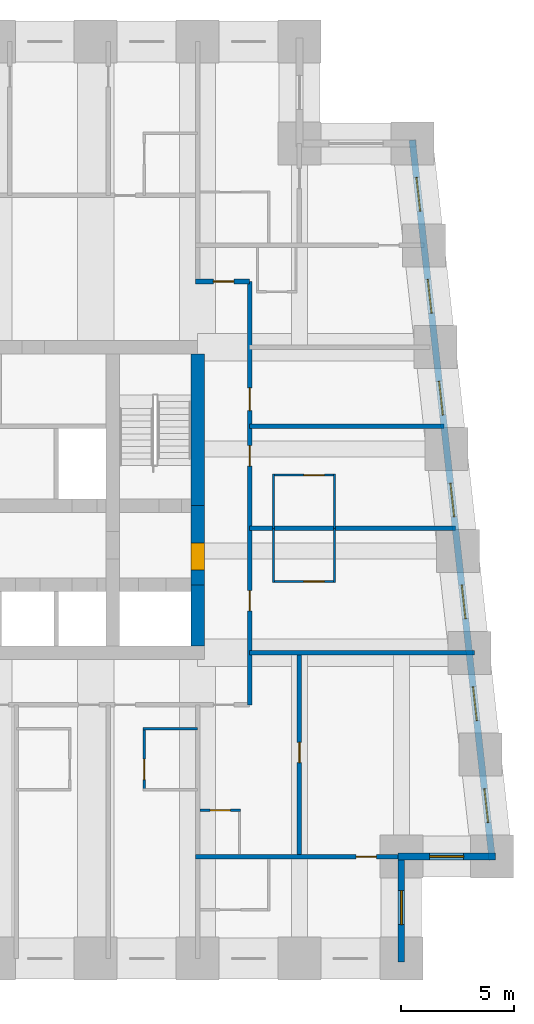
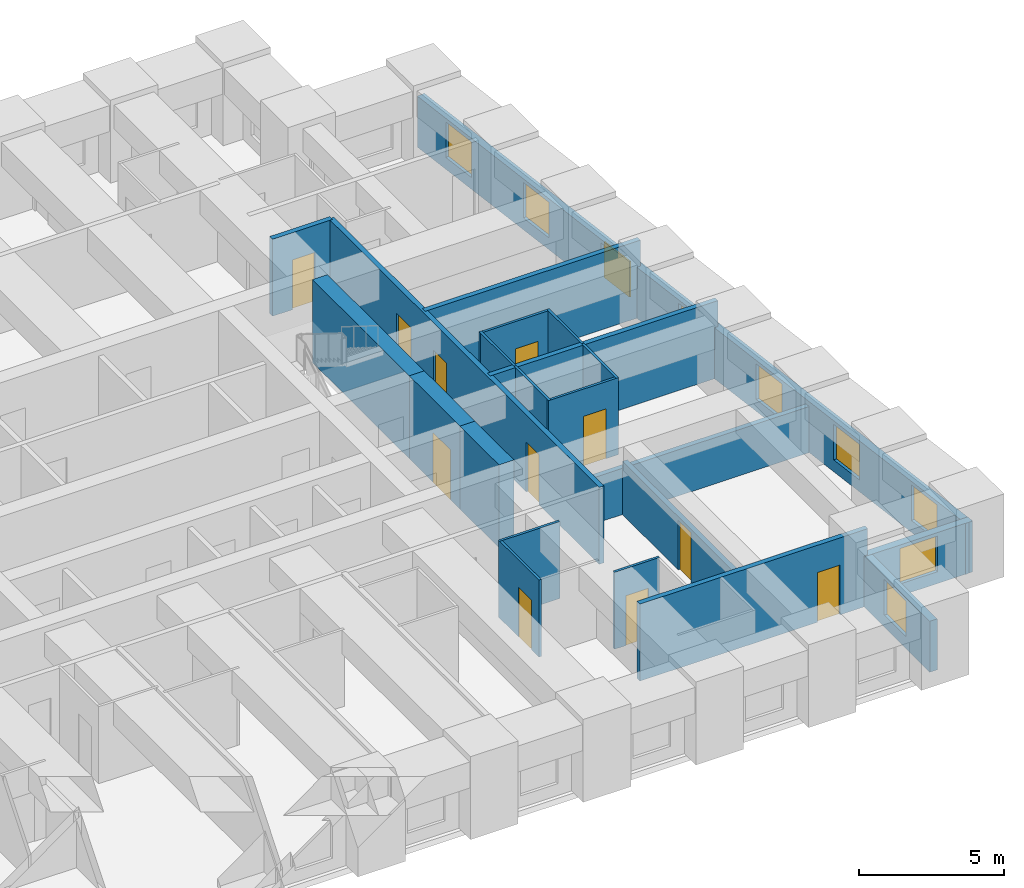
# One storey, part 5 of 8: 22 walls, 11 doors, 9 windows, 20 openings.
"""IFC4 building model written with IfcOpenShell, lengths in metres."""

from ifc_helpers import new_model, si_unit, direction, frame, frame_2d, origin, place, context, subcontext, project, spatial, rectangle, extrude, material, layer, layer_set, type_object, element, fill, save


model = new_model("IFC4")

# Units and contexts
model_context = context("Model", 3, precision=1e-05, world=origin(), true_north=direction((0.0, 1.0)))
body_context = subcontext(model_context, "Body", "Model", "MODEL_VIEW")
ifc_project = project(units=[si_unit("LENGTHUNIT", "METRE"), si_unit("AREAUNIT", "SQUARE_METRE"), si_unit("VOLUMEUNIT", "CUBIC_METRE"), si_unit("PLANEANGLEUNIT", "RADIAN"), si_unit("MASSUNIT", "GRAM", prefix="KILO")], contexts=[model_context])

# Site, building, storey
site_placement = place(None, origin())
site = spatial("IfcSite", under=ifc_project, at=site_placement, CompositionType="ELEMENT")
building_placement = place(site_placement, origin())
building = spatial("IfcBuilding", under=site, at=building_placement, Name="Kilele Tower Hotel", CompositionType="ELEMENT")
storey_placement = place(building_placement, frame((0.0, 0.0, 124.89990234375)))
storey = spatial("IfcBuildingStorey", under=building, at=storey_placement, Name="L32", CompositionType="ELEMENT", Elevation=124.89990234375)

# Wall
ifc_material_1 = material(Name="Moisture-resistant board")
ifc_layer_1 = layer(ifc_material_1, 0.10009765625)
ifc_layer_set_1 = layer_set([ifc_layer_1], Name="Moisture-resistant board")
wall_type_1 = type_object("IfcWallType", Name="Bathroom partition 100", PredefinedType="PLUMBINGWALL", material=ifc_layer_set_1)
wall_1_placement = place(storey_placement, frame((33.60009765625, 10.14990234375, 0.0), z_axis=(0.0, 0.0, 1.0), x_axis=(1.0, 0.0, 0.0)))
element("IfcWall", 1, at=wall_1_placement, inside=storey, type_object=wall_type_1, Name="Bathroom partition 100 L32", PredefinedType="PLUMBINGWALL", context=body_context, shape_type="SweptSolid", body=[
    extrude(rectangle(XDim=2.39990234375, YDim=0.10009765625, at=frame_2d((1.199951171875, 0.0))), origin(), (0.0, 0.0, 1.0), 3.25),
])

# Wall, opening, door
wall_2_placement = place(storey_placement, frame((33.64990234375, 10.199951171875, 0.0), z_axis=(0.0, 0.0, 1.0), x_axis=(0.0, -1.0, 0.0)))
wall_2 = element("IfcWall", 2, at=wall_2_placement, inside=storey, type_object=wall_type_1, Name="Bathroom partition 100 L32", PredefinedType="PLUMBINGWALL", context=body_context, shape_type="SweptSolid", body=[
    extrude(rectangle(XDim=2.800048828125, YDim=0.10009765625, at=frame_2d((1.39990234375, 0.0))), origin(), (0.0, 0.0, 1.0), 3.25),
])
opening_1_placement = place(wall_2_placement, frame((2.2998046875, 0.0, 0.0), z_axis=(0.0, 0.0, 1.0), x_axis=(-1.0, 0.0, 0.0)))
opening_1 = element("IfcOpeningElement", 3, at=opening_1_placement, cuts=wall_2, Name="Opening D2A", PredefinedType="OPENING", context=body_context, shape_type="SweptSolid", body=[
    extrude(rectangle(XDim=0.89990234375, YDim=2.10009765625, at=frame_2d((0.449951171875, 1.050048828125))), frame((0.0, 0.06005859375, 0.0), z_axis=(0.0, -1.0, 0.0), x_axis=(1.0, 0.0, 0.0)), (0.0, 0.0, 1.0), 0.1201171875),
])
ifc_material_2 = material(Name="Timber door leaf in hardwood frame", Category="wood")
door_type_1 = type_object("IfcDoorType", Name="Bathroom door 900", OperationType="SINGLE_SWING_LEFT", PredefinedType="DOOR", material=ifc_material_2)
door_1_placement = place(opening_1_placement, origin())
door_1 = element("IfcDoor", 4, at=door_1_placement, inside=storey, type_object=door_type_1, Name="Bathroom door 3205B", OperationType="SINGLE_SWING_LEFT", OverallHeight=2.10009765625, OverallWidth=0.89990234375, PredefinedType="DOOR", context=body_context, shape_type="SweptSolid", body=[
    extrude(rectangle(XDim=0.89990234375, YDim=2.10009765625, at=frame_2d((0.449951171875, 1.050048828125))), frame((0.0, 0.02490234375, 0.0), z_axis=(0.0, -1.0, 0.0), x_axis=(1.0, 0.0, 0.0)), (0.0, 0.0, 1.0), 0.050048828125),
])
fill(opening_1, door_1)

# Walls
for number, where, z_axis, x_axis, name in (
    (5, (39.35009765625, 16.60009765625, 0.0), (0.0, 0.0, 1.0), (0.0, 1.0, 0.0), "Bathroom partition 100 L32"),
    (6, (42.050048828125, 16.60009765625, 0.0), (0.0, 0.0, 1.0), (0.0, 1.0, 0.0), "Bathroom partition 100 L32"),
):
    element("IfcWall", number, at=place(storey_placement, frame(where, z_axis=z_axis, x_axis=x_axis)), inside=storey, type_object=wall_type_1, Name=name, PredefinedType="PLUMBINGWALL", context=body_context, shape_type="SweptSolid", body=[
        extrude(rectangle(XDim=2.39990234375, YDim=0.10009765625, at=frame_2d((1.199951171875, 0.0))), origin(), (0.0, 0.0, 1.0), 3.25),
    ])

# Wall, opening, door
wall_3_placement = place(storey_placement, frame((39.300048828125, 16.64990234375, 0.0), z_axis=(0.0, 0.0, 1.0), x_axis=(1.0, 0.0, 0.0)))
wall_3 = element("IfcWall", 7, at=wall_3_placement, inside=storey, type_object=wall_type_1, Name="Bathroom partition 100 L32", PredefinedType="PLUMBINGWALL", context=body_context, shape_type="SweptSolid", body=[
    extrude(rectangle(XDim=2.800048828125, YDim=0.10009765625, at=frame_2d((1.39990234375, 0.0))), origin(), (0.0, 0.0, 1.0), 3.25),
])
opening_2_placement = place(wall_3_placement, frame((2.2998046875, 0.0, 0.0), z_axis=(0.0, 0.0, 1.0), x_axis=(-1.0, 0.0, 0.0)))
opening_2 = element("IfcOpeningElement", 8, at=opening_2_placement, cuts=wall_3, Name="Opening D2A", PredefinedType="OPENING", context=body_context, shape_type="SweptSolid", body=[
    extrude(rectangle(XDim=0.89990234375, YDim=2.10009765625, at=frame_2d((0.449951171875, 1.050048828125))), frame((0.0, 0.06005859375, 0.0), z_axis=(0.0, -1.0, 0.0), x_axis=(1.0, 0.0, 0.0)), (0.0, 0.0, 1.0), 0.1201171875),
])
door_2_placement = place(opening_2_placement, origin())
door_2 = element("IfcDoor", 9, at=door_2_placement, inside=storey, type_object=door_type_1, Name="Bathroom door 3206B", OperationType="SINGLE_SWING_LEFT", OverallHeight=2.10009765625, OverallWidth=0.89990234375, PredefinedType="DOOR", context=body_context, shape_type="SweptSolid", body=[
    extrude(rectangle(XDim=0.89990234375, YDim=2.10009765625, at=frame_2d((0.449951171875, 1.050048828125))), frame((0.0, 0.02490234375, 0.0), z_axis=(0.0, -1.0, 0.0), x_axis=(1.0, 0.0, 0.0)), (0.0, 0.0, 1.0), 0.050048828125),
])
fill(opening_2, door_2)

# Walls
for number, where, z_axis, x_axis, name in (
    (10, (39.35009765625, 19.0, 0.0), (0.0, 0.0, 1.0), (0.0, 1.0, 0.0), "Bathroom partition 100 L32"),
    (11, (42.050048828125, 19.0, 0.0), (0.0, 0.0, 1.0), (0.0, 1.0, 0.0), "Bathroom partition 100 L32"),
):
    element("IfcWall", number, at=place(storey_placement, frame(where, z_axis=z_axis, x_axis=x_axis)), inside=storey, type_object=wall_type_1, Name=name, PredefinedType="PLUMBINGWALL", context=body_context, shape_type="SweptSolid", body=[
        extrude(rectangle(XDim=2.39990234375, YDim=0.10009765625, at=frame_2d((1.199951171875, 0.0))), origin(), (0.0, 0.0, 1.0), 3.25),
    ])

# Wall, opening, door
wall_4_placement = place(storey_placement, frame((39.300048828125, 21.35009765625, 0.0), z_axis=(0.0, 0.0, 1.0), x_axis=(1.0, 0.0, 0.0)))
wall_4 = element("IfcWall", 12, at=wall_4_placement, inside=storey, type_object=wall_type_1, Name="Bathroom partition 100 L32", PredefinedType="PLUMBINGWALL", context=body_context, shape_type="SweptSolid", body=[
    extrude(rectangle(XDim=2.800048828125, YDim=0.10009765625, at=frame_2d((1.39990234375, 0.0))), origin(), (0.0, 0.0, 1.0), 3.25),
])
opening_3_placement = place(wall_4_placement, frame((1.39990234375, 0.0, 0.0)))
opening_3 = element("IfcOpeningElement", 13, at=opening_3_placement, cuts=wall_4, Name="Opening D2A", PredefinedType="OPENING", context=body_context, shape_type="SweptSolid", body=[
    extrude(rectangle(XDim=0.89990234375, YDim=2.10009765625, at=frame_2d((0.449951171875, 1.050048828125))), frame((0.0, 0.06005859375, 0.0), z_axis=(0.0, -1.0, 0.0), x_axis=(1.0, 0.0, 0.0)), (0.0, 0.0, 1.0), 0.1201171875),
])
door_3_placement = place(opening_3_placement, origin())
door_3 = element("IfcDoor", 14, at=door_3_placement, inside=storey, type_object=door_type_1, Name="Bathroom door 3207B", OperationType="SINGLE_SWING_RIGHT", OverallHeight=2.10009765625, OverallWidth=0.89990234375, PredefinedType="DOOR", context=body_context, shape_type="SweptSolid", body=[
    extrude(rectangle(XDim=0.89990234375, YDim=2.10009765625, at=frame_2d((0.449951171875, 1.050048828125))), frame((0.0, 0.02490234375, 0.0), z_axis=(0.0, -1.0, 0.0), x_axis=(1.0, 0.0, 0.0)), (0.0, 0.0, 1.0), 0.050048828125),
])
fill(opening_3, door_3)

wall_5_placement = place(storey_placement, frame((36.10009765625, 6.550048828125, 0.0), z_axis=(0.0, 0.0, 1.0), x_axis=(1.0, 0.0, 0.0)))
wall_5 = element("IfcWall", 15, at=wall_5_placement, inside=storey, type_object=wall_type_1, Name="Bathroom partition 100 L32", PredefinedType="PLUMBINGWALL", context=body_context, shape_type="SweptSolid", body=[
    extrude(rectangle(XDim=1.7998046875, YDim=0.10009765625, at=frame_2d((0.89990234375, 0.0))), origin(), (0.0, 0.0, 1.0), 3.25),
])
opening_4_placement = place(wall_5_placement, frame((0.449951171875, 0.0, 0.0)))
opening_4 = element("IfcOpeningElement", 16, at=opening_4_placement, cuts=wall_5, Name="Opening D2A", PredefinedType="OPENING", context=body_context, shape_type="SweptSolid", body=[
    extrude(rectangle(XDim=0.89990234375, YDim=2.10009765625, at=frame_2d((0.449951171875, 1.050048828125))), frame((0.0, 0.06005859375, 0.0), z_axis=(0.0, -1.0, 0.0), x_axis=(1.0, 0.0, 0.0)), (0.0, 0.0, 1.0), 0.1201171875),
])
door_4_placement = place(opening_4_placement, origin())
door_4 = element("IfcDoor", 17, at=door_4_placement, inside=storey, type_object=door_type_1, Name="Bathroom door 3220P", OperationType="SINGLE_SWING_LEFT", OverallHeight=2.10009765625, OverallWidth=0.89990234375, PredefinedType="DOOR", context=body_context, shape_type="SweptSolid", body=[
    extrude(rectangle(XDim=0.89990234375, YDim=2.10009765625, at=frame_2d((0.449951171875, 1.050048828125))), frame((0.0, 0.02490234375, 0.0), z_axis=(0.0, -1.0, 0.0), x_axis=(1.0, 0.0, 0.0)), (0.0, 0.0, 1.0), 0.050048828125),
])
fill(opening_4, door_4)

# Wall
ifc_material_3 = material(Name="Concrete C60/75", Category="concrete")
ifc_layer_2 = layer(ifc_material_3, 0.60009765625)
ifc_layer_set_2 = layer_set([ifc_layer_2], Name="Concrete C60/75")
wall_type_2 = type_object("IfcWallType", Name="Core wall 600 C60/75", PredefinedType="SHEAR", material=ifc_layer_set_2)
wall_6_placement = place(storey_placement, frame((36.0, 13.800048828125, 0.0), z_axis=(0.0, 0.0, 1.0), x_axis=(0.0, 1.0, 0.0)))
element("IfcWall", 18, at=wall_6_placement, inside=storey, type_object=wall_type_2, Name="Core wall E1 L32", PredefinedType="SHEAR", context=body_context, shape_type="SweptSolid", body=[
    extrude(rectangle(XDim=2.699951171875, YDim=0.60009765625, at=frame_2d((1.35009765625, 0.0))), origin(), (0.0, 0.0, 1.0), 3.5),
])

# Wall, opening, door
wall_7_placement = place(storey_placement, frame((36.0, 16.5, 0.0), z_axis=(0.0, 0.0, 1.0), x_axis=(0.0, 1.0, 0.0)))
wall_7 = element("IfcWall", 19, at=wall_7_placement, inside=storey, type_object=wall_type_2, Name="Core wall E2 L32", PredefinedType="SHEAR", context=body_context, shape_type="SweptSolid", body=[
    extrude(rectangle(XDim=3.5, YDim=0.60009765625, at=frame_2d((1.75, 0.0))), origin(), (0.0, 0.0, 1.0), 3.5),
])
opening_5_placement = place(wall_7_placement, frame((0.64990234375, 0.0, 0.0)))
opening_5 = element("IfcOpeningElement", 20, at=opening_5_placement, cuts=wall_7, Name="Opening D4", PredefinedType="OPENING", context=body_context, shape_type="SweptSolid", body=[
    extrude(rectangle(XDim=1.199951171875, YDim=2.10009765625, at=frame_2d((0.60009765625, 1.050048828125))), frame((0.0, 0.31005859375, 0.0), z_axis=(0.0, -1.0, 0.0), x_axis=(1.0, 0.0, 0.0)), (0.0, 0.0, 1.0), 0.6201171875),
])
ifc_material_4 = material(Name="Timber door leaf in hardwood frame", Category="wood")
door_type_2 = type_object("IfcDoorType", Name="Firefighting lobby door 1200", OperationType="SINGLE_SWING_LEFT", PredefinedType="DOOR", material=ifc_material_4)
door_5_placement = place(opening_5_placement, origin())
door_5 = element("IfcDoor", 21, at=door_5_placement, inside=storey, type_object=door_type_2, Name="Lobby door L32", OperationType="SINGLE_SWING_LEFT", OverallHeight=2.10009765625, OverallWidth=1.199951171875, PredefinedType="DOOR", context=body_context, shape_type="SweptSolid", body=[
    extrude(rectangle(XDim=1.199951171875, YDim=2.10009765625, at=frame_2d((0.60009765625, 1.050048828125))), frame((0.0, 0.2998046875, 0.0), z_axis=(0.0, -1.0, 0.0), x_axis=(1.0, 0.0, 0.0)), (0.0, 0.0, 1.0), 0.599609375),
])
fill(opening_5, door_5)

# Wall
wall_8_placement = place(storey_placement, frame((36.0, 20.0, 0.0), z_axis=(0.0, 0.0, 1.0), x_axis=(0.0, 1.0, 0.0)))
element("IfcWall", 22, at=wall_8_placement, inside=storey, type_object=wall_type_2, Name="Core wall E3 L32", PredefinedType="SHEAR", context=body_context, shape_type="SweptSolid", body=[
    extrude(rectangle(XDim=6.699951171875, YDim=0.60009765625, at=frame_2d((3.35009765625, 0.0))), origin(), (0.0, 0.0, 1.0), 3.5),
])

# Wall, opening, door
ifc_material_5 = material(Name="Blockwork, plastered both sides", Category="masonry")
ifc_layer_3 = layer(ifc_material_5, 0.199951171875)
ifc_layer_set_3 = layer_set([ifc_layer_3], Name="Blockwork, plastered both sides")
wall_type_3 = type_object("IfcWallType", Name="Corridor wall 200", PredefinedType="PARTITIONING", material=ifc_layer_set_3)
wall_9_placement = place(storey_placement, frame((35.89990234375, 29.89990234375, 0.0), z_axis=(0.0, 0.0, 1.0), x_axis=(1.0, 0.0, 0.0)))
wall_9 = element("IfcWall", 23, at=wall_9_placement, inside=storey, type_object=wall_type_3, Name="Corridor wall 200 L32", PredefinedType="PARTITIONING", context=body_context, shape_type="SweptSolid", body=[
    extrude(rectangle(XDim=2.400146484375, YDim=0.199951171875, at=frame_2d((1.2001953125, 0.0))), origin(), (0.0, 0.0, 1.0), 3.25),
])
opening_6_placement = place(wall_9_placement, frame((0.800048828125, 0.0, 0.0)))
opening_6 = element("IfcOpeningElement", 24, at=opening_6_placement, cuts=wall_9, Name="Opening D1", PredefinedType="OPENING", context=body_context, shape_type="SweptSolid", body=[
    extrude(rectangle(XDim=0.89990234375, YDim=2.10009765625, at=frame_2d((0.449951171875, 1.050048828125))), frame((0.0, 0.10986328125, 0.0), z_axis=(0.0, -1.0, 0.0), x_axis=(1.0, 0.0, 0.0)), (0.0, 0.0, 1.0), 0.219970703125),
])
ifc_material_6 = material(Name="Timber door leaf in hardwood frame", Category="wood")
door_type_3 = type_object("IfcDoorType", Name="Guest room entrance door 900", OperationType="SINGLE_SWING_LEFT", PredefinedType="DOOR", material=ifc_material_6)
door_6_placement = place(opening_6_placement, origin())
door_6 = element("IfcDoor", 25, at=door_6_placement, inside=storey, type_object=door_type_3, Name="Room entrance 3223", OperationType="SINGLE_SWING_LEFT", OverallHeight=2.10009765625, OverallWidth=0.89990234375, PredefinedType="DOOR", context=body_context, shape_type="SweptSolid", body=[
    extrude(rectangle(XDim=0.89990234375, YDim=2.10009765625, at=frame_2d((0.449951171875, 1.050048828125))), frame((0.0, 0.02490234375, 0.0), z_axis=(0.0, -1.0, 0.0), x_axis=(1.0, 0.0, 0.0)), (0.0, 0.0, 1.0), 0.050048828125),
])
fill(opening_6, door_6)

# Wall, openings, doors
wall_10_placement = place(storey_placement, frame((38.300048828125, 11.199951171875, 0.0), z_axis=(0.0, 0.0, 1.0), x_axis=(0.0, 1.0, 0.0)))
wall_10 = element("IfcWall", 26, at=wall_10_placement, inside=storey, type_object=wall_type_3, Name="Corridor wall 200 L32", PredefinedType="PARTITIONING", context=body_context, shape_type="SweptSolid", body=[
    extrude(rectangle(XDim=18.699951171875, YDim=0.199951171875, at=frame_2d((9.35009765625, 0.0))), origin(), (0.0, 0.0, 1.0), 3.25),
])
opening_7_placement = place(wall_10_placement, frame((5.0498046875, 0.0, 0.0), z_axis=(0.0, 0.0, 1.0), x_axis=(-1.0, 0.0, 0.0)))
opening_7 = element("IfcOpeningElement", 27, at=opening_7_placement, cuts=wall_10, Name="Opening D1", PredefinedType="OPENING", context=body_context, shape_type="SweptSolid", body=[
    extrude(rectangle(XDim=0.89990234375, YDim=2.10009765625, at=frame_2d((0.449951171875, 1.050048828125))), frame((0.0, 0.10986328125, 0.0), z_axis=(0.0, -1.0, 0.0), x_axis=(1.0, 0.0, 0.0)), (0.0, 0.0, 1.0), 0.219970703125),
])
opening_8_placement = place(wall_10_placement, frame((11.449951171875, 0.0, 0.0), z_axis=(0.0, 0.0, 1.0), x_axis=(-1.0, 0.0, 0.0)))
opening_8 = element("IfcOpeningElement", 28, at=opening_8_placement, cuts=wall_10, Name="Opening D1", PredefinedType="OPENING", context=body_context, shape_type="SweptSolid", body=[
    extrude(rectangle(XDim=0.89990234375, YDim=2.10009765625, at=frame_2d((0.449951171875, 1.050048828125))), frame((0.0, 0.10986328125, 0.0), z_axis=(0.0, -1.0, 0.0), x_axis=(1.0, 0.0, 0.0)), (0.0, 0.0, 1.0), 0.219970703125),
])
opening_9_placement = place(wall_10_placement, frame((14.0, 0.0, 0.0), z_axis=(0.0, 0.0, 1.0), x_axis=(-1.0, 0.0, 0.0)))
opening_9 = element("IfcOpeningElement", 29, at=opening_9_placement, cuts=wall_10, Name="Opening D8", PredefinedType="OPENING", context=body_context, shape_type="SweptSolid", body=[
    extrude(rectangle(XDim=1.0, YDim=2.10009765625, at=frame_2d((0.5, 1.050048828125))), frame((0.0, 0.10986328125, 0.0), z_axis=(0.0, -1.0, 0.0), x_axis=(1.0, 0.0, 0.0)), (0.0, 0.0, 1.0), 0.219970703125),
])
ifc_material_7 = material(Name="Timber door leaf in hardwood frame", Category="wood")
door_type_4 = type_object("IfcDoorType", Name="Door 1000", OperationType="SINGLE_SWING_LEFT", PredefinedType="DOOR", material=ifc_material_7)
door_7_placement = place(opening_9_placement, origin())
door_7 = element("IfcDoor", 30, at=door_7_placement, inside=storey, type_object=door_type_4, Name="Room entrance 3208", OperationType="SINGLE_SWING_RIGHT", OverallHeight=2.10009765625, OverallWidth=1.0, PredefinedType="DOOR", context=body_context, shape_type="SweptSolid", body=[
    extrude(rectangle(XDim=1.0, YDim=2.10009765625, at=frame_2d((0.5, 1.050048828125))), frame((0.0, 0.02490234375, 0.0), z_axis=(0.0, -1.0, 0.0), x_axis=(1.0, 0.0, 0.0)), (0.0, 0.0, 1.0), 0.050048828125),
])
fill(opening_9, door_7)
door_8_placement = place(opening_7_placement, origin())
door_8 = element("IfcDoor", 31, at=door_8_placement, inside=storey, type_object=door_type_3, Name="Room entrance 3206", OperationType="SINGLE_SWING_LEFT", OverallHeight=2.10009765625, OverallWidth=0.89990234375, PredefinedType="DOOR", context=body_context, shape_type="SweptSolid", body=[
    extrude(rectangle(XDim=0.89990234375, YDim=2.10009765625, at=frame_2d((0.449951171875, 1.050048828125))), frame((0.0, 0.02490234375, 0.0), z_axis=(0.0, -1.0, 0.0), x_axis=(1.0, 0.0, 0.0)), (0.0, 0.0, 1.0), 0.050048828125),
])
fill(opening_7, door_8)
door_9_placement = place(opening_8_placement, origin())
door_9 = element("IfcDoor", 32, at=door_9_placement, inside=storey, type_object=door_type_3, Name="Room entrance 3207", OperationType="SINGLE_SWING_RIGHT", OverallHeight=2.10009765625, OverallWidth=0.89990234375, PredefinedType="DOOR", context=body_context, shape_type="SweptSolid", body=[
    extrude(rectangle(XDim=0.89990234375, YDim=2.10009765625, at=frame_2d((0.449951171875, 1.050048828125))), frame((0.0, 0.02490234375, 0.0), z_axis=(0.0, -1.0, 0.0), x_axis=(1.0, 0.0, 0.0)), (0.0, 0.0, 1.0), 0.050048828125),
])
fill(opening_8, door_9)

# Wall, opening, door
ifc_material_8 = material(Name="Blockwork, plastered both sides", Category="masonry")
ifc_layer_4 = layer(ifc_material_8, 0.199951171875)
ifc_layer_set_4 = layer_set([ifc_layer_4], Name="Blockwork, plastered both sides")
wall_type_4 = type_object("IfcWallType", Name="Partition wall 200", PredefinedType="PARTITIONING", material=ifc_layer_set_4)
wall_11_placement = place(storey_placement, frame((40.5, 4.60009765625, 0.0), z_axis=(0.0, 0.0, 1.0), x_axis=(0.0, 1.0, 0.0)))
wall_11 = element("IfcWall", 33, at=wall_11_placement, inside=storey, type_object=wall_type_4, Name="Partition wall 200 L32", PredefinedType="PARTITIONING", context=body_context, shape_type="SweptSolid", body=[
    extrude(rectangle(XDim=8.7998046875, YDim=0.199951171875, at=frame_2d((4.39990234375, 0.0))), origin(), (0.0, 0.0, 1.0), 2.25),
])
opening_10_placement = place(wall_11_placement, frame((4.050048828125, 0.0, 0.0)))
opening_10 = element("IfcOpeningElement", 34, at=opening_10_placement, cuts=wall_11, Name="Opening D3", PredefinedType="OPENING", context=body_context, shape_type="SweptSolid", body=[
    extrude(rectangle(XDim=0.89990234375, YDim=2.10009765625, at=frame_2d((0.449951171875, 1.050048828125))), frame((0.0, 0.10986328125, 0.0), z_axis=(0.0, -1.0, 0.0), x_axis=(1.0, 0.0, 0.0)), (0.0, 0.0, 1.0), 0.219970703125),
])
ifc_material_9 = material(Name="Timber door leaf in hardwood frame", Category="wood")
door_type_5 = type_object("IfcDoorType", Name="Suite internal door 900", OperationType="SINGLE_SWING_LEFT", PredefinedType="DOOR", material=ifc_material_9)
door_10_placement = place(opening_10_placement, origin())
door_10 = element("IfcDoor", 35, at=door_10_placement, inside=storey, type_object=door_type_5, Name="Suite door 3221", OperationType="SINGLE_SWING_RIGHT", OverallHeight=2.10009765625, OverallWidth=0.89990234375, PredefinedType="DOOR", context=body_context, shape_type="SweptSolid", body=[
    extrude(rectangle(XDim=0.89990234375, YDim=2.10009765625, at=frame_2d((0.449951171875, 1.050048828125))), frame((0.0, 0.02490234375, 0.0), z_axis=(0.0, -1.0, 0.0), x_axis=(1.0, 0.0, 0.0)), (0.0, 0.0, 1.0), 0.050048828125),
])
fill(opening_10, door_10)

# Walls
ifc_material_10 = material(Name="Blockwork, plastered both sides", Category="masonry")
ifc_layer_5 = layer(ifc_material_10, 0.199951171875)
ifc_layer_set_5 = layer_set([ifc_layer_5], Name="Blockwork, plastered both sides")
wall_type_5 = type_object("IfcWallType", Name="Party wall 200", PredefinedType="PARTITIONING", material=ifc_layer_set_5)
wall_12_placement = place(storey_placement, frame((38.300048828125, 19.0, 0.0), z_axis=(0.0, 0.0, 1.0), x_axis=(1.0, 0.0, 0.0)))
element("IfcWall", 36, at=wall_12_placement, inside=storey, type_object=wall_type_5, Name="Party wall 200 L32", PredefinedType="PARTITIONING", context=body_context, shape_type="SweptSolid", body=[
    extrude(rectangle(XDim=9.087890625, YDim=0.199951171875, at=frame_2d((4.5439453125, 0.0))), origin(), (0.0, 0.0, 1.0), 3.25),
])
wall_13_placement = place(storey_placement, frame((38.300048828125, 23.5, 0.0), z_axis=(0.0, 0.0, 1.0), x_axis=(1.0, 0.0, 0.0)))
element("IfcWall", 37, at=wall_13_placement, inside=storey, type_object=wall_type_5, Name="Party wall 200 L32", PredefinedType="PARTITIONING", context=body_context, shape_type="SweptSolid", body=[
    extrude(rectangle(XDim=8.587890625, YDim=0.199951171875, at=frame_2d((4.2939453125, 0.0))), origin(), (0.0, 0.0, 1.0), 3.25),
])
wall_14_placement = place(storey_placement, frame((38.300048828125, 13.5, 0.0), z_axis=(0.0, 0.0, 1.0), x_axis=(1.0, 0.0, 0.0)))
element("IfcWall", 38, at=wall_14_placement, inside=storey, type_object=wall_type_5, Name="Party wall 200 L32", PredefinedType="PARTITIONING", context=body_context, shape_type="SweptSolid", body=[
    extrude(rectangle(XDim=9.921142578125, YDim=0.199951171875, at=frame_2d((4.96044921875, 0.0))), origin(), (0.0, 0.0, 1.0), 1.9501953125),
])

# Wall, opening, door
wall_15_placement = place(storey_placement, frame((35.89990234375, 4.5, 0.0), z_axis=(0.0, 0.0, 1.0), x_axis=(1.0, 0.0, 0.0)))
wall_15 = element("IfcWall", 39, at=wall_15_placement, inside=storey, type_object=wall_type_5, Name="Party wall 200 L32", PredefinedType="PARTITIONING", context=body_context, shape_type="SweptSolid", body=[
    extrude(rectangle(XDim=9.10009765625, YDim=0.199951171875, at=frame_2d((4.550048828125, 0.0))), origin(), (0.0, 0.0, 1.0), 3.25),
])
opening_11_placement = place(wall_15_placement, frame((7.10009765625, 0.0, 0.0)))
opening_11 = element("IfcOpeningElement", 40, at=opening_11_placement, cuts=wall_15, Name="Opening D3", PredefinedType="OPENING", context=body_context, shape_type="SweptSolid", body=[
    extrude(rectangle(XDim=0.89990234375, YDim=2.10009765625, at=frame_2d((0.449951171875, 1.050048828125))), frame((0.0, 0.10986328125, 0.0), z_axis=(0.0, -1.0, 0.0), x_axis=(1.0, 0.0, 0.0)), (0.0, 0.0, 1.0), 0.219970703125),
])
door_11_placement = place(opening_11_placement, origin())
door_11 = element("IfcDoor", 41, at=door_11_placement, inside=storey, type_object=door_type_5, Name="Suite door 3222", OperationType="SINGLE_SWING_RIGHT", OverallHeight=2.10009765625, OverallWidth=0.89990234375, PredefinedType="DOOR", context=body_context, shape_type="SweptSolid", body=[
    extrude(rectangle(XDim=0.89990234375, YDim=2.10009765625, at=frame_2d((0.449951171875, 1.050048828125))), frame((0.0, 0.02490234375, 0.0), z_axis=(0.0, -1.0, 0.0), x_axis=(1.0, 0.0, 0.0)), (0.0, 0.0, 1.0), 0.050048828125),
])
fill(opening_11, door_11)

# Wall, opening, window
ifc_material_11 = material(Name="Concrete C40/50 precast", Category="concrete")
ifc_layer_6 = layer(ifc_material_11, 0.260009765625, Name="Precast backing", Category="LoadBearing")
ifc_material_12 = material(Name="Reconstituted stone finish", Category="masonry")
ifc_layer_7 = layer(ifc_material_12, 0.0400390625, Name="Face mix", Category="Finish")
ifc_layer_set_6 = layer_set([ifc_layer_6, ifc_layer_7], Name="Precast concrete C40/50, reconstituted stone finish")
wall_type_6 = type_object("IfcWallType", Name="Precast stone facade wall 300", PredefinedType="STANDARD", material=ifc_layer_set_6)
wall_16_placement = place(storey_placement, frame((45.0, -0.14990234375, 0.0), z_axis=(0.0, 0.0, 1.0), x_axis=(0.0, 1.0, 0.0)))
wall_16 = element("IfcWall", 42, at=wall_16_placement, inside=storey, type_object=wall_type_6, Name="Facade wall L32 edge 4", PredefinedType="STANDARD", context=body_context, shape_type="SweptSolid", body=[
    extrude(rectangle(XDim=4.7998046875, YDim=0.300048828125, at=frame_2d((2.39990234375, 0.0))), origin(), (0.0, 0.0, 1.0), 2.150146484375),
])
opening_12_placement = place(wall_16_placement, frame((1.64990234375, 0.0, 0.5)))
opening_12 = element("IfcOpeningElement", 43, at=opening_12_placement, cuts=wall_16, Name="Opening W2", PredefinedType="OPENING", context=body_context, shape_type="SweptSolid", body=[
    extrude(rectangle(XDim=1.5, YDim=1.5, at=frame_2d((0.75, 0.75))), frame((0.0, 0.159912109375, 0.0), z_axis=(0.0, -1.0, 0.0), x_axis=(1.0, 0.0, 0.0)), (0.0, 0.0, 1.0), 0.320068359375),
])
ifc_material_13 = material(Name="Aluminium frame, clear double glazing", Category="aluminium")
window_type = type_object("IfcWindowType", Name="Window W2 1500 x 1500", PartitioningType="SINGLE_PANEL", PredefinedType="WINDOW", material=ifc_material_13)
window_1_placement = place(opening_12_placement, origin())
window_1 = element("IfcWindow", 44, at=window_1_placement, inside=storey, type_object=window_type, Name="Window L32", OverallHeight=1.5, OverallWidth=1.5, PartitioningType="SINGLE_PANEL", PredefinedType="WINDOW", context=body_context, shape_type="SweptSolid", body=[
    extrude(rectangle(XDim=1.5, YDim=1.5, at=frame_2d((0.75, 0.75))), frame((0.0, 0.030029296875, 0.0), z_axis=(0.0, -1.0, 0.0), x_axis=(1.0, 0.0, 0.0)), (0.0, 0.0, 1.0), 0.06005859375),
])
fill(opening_12, window_1)

wall_17_placement = place(storey_placement, frame((44.85009765625, 4.5, 0.0), z_axis=(0.0, 0.0, 1.0), x_axis=(1.0, 0.0, 0.0)))
wall_17 = element("IfcWall", 45, at=wall_17_placement, inside=storey, type_object=wall_type_6, Name="Facade wall L32 edge 5", PredefinedType="STANDARD", context=body_context, shape_type="SweptSolid", body=[
    extrude(rectangle(XDim=4.2998046875, YDim=0.300048828125, at=frame_2d((2.14990234375, 0.0))), origin(), (0.0, 0.0, 1.0), 2.150146484375),
])
opening_13_placement = place(wall_17_placement, frame((1.39990234375, 0.0, 0.5)))
opening_13 = element("IfcOpeningElement", 46, at=opening_13_placement, cuts=wall_17, Name="Opening W2", PredefinedType="OPENING", context=body_context, shape_type="SweptSolid", body=[
    extrude(rectangle(XDim=1.5, YDim=1.5, at=frame_2d((0.75, 0.75))), frame((0.0, 0.159912109375, 0.0), z_axis=(0.0, -1.0, 0.0), x_axis=(1.0, 0.0, 0.0)), (0.0, 0.0, 1.0), 0.320068359375),
])
window_2_placement = place(opening_13_placement, origin())
window_2 = element("IfcWindow", 47, at=window_2_placement, inside=storey, type_object=window_type, Name="Window L32", OverallHeight=1.5, OverallWidth=1.5, PartitioningType="SINGLE_PANEL", PredefinedType="WINDOW", context=body_context, shape_type="SweptSolid", body=[
    extrude(rectangle(XDim=1.5, YDim=1.5, at=frame_2d((0.75, 0.75))), frame((0.0, 0.030029296875, 0.0), z_axis=(0.0, -1.0, 0.0), x_axis=(1.0, 0.0, 0.0)), (0.0, 0.0, 1.0), 0.06005859375),
])
fill(opening_13, window_2)

# Wall, openings, windows
wall_18_placement = place(storey_placement, frame((49.0166015625, 4.350830078125, 0.0), z_axis=(0.0, 0.0, 1.0), x_axis=(-0.110433201132, 0.993883548555, 0.0)))
wall_18 = element("IfcWall", 48, at=wall_18_placement, inside=storey, type_object=wall_type_6, Name="Facade wall L32 edge 6", PredefinedType="STANDARD", context=body_context, shape_type="SweptSolid", body=[
    extrude(rectangle(XDim=31.994140625, YDim=0.300048828125, at=frame_2d((15.9970703125, 0.0))), origin(), (0.0, 0.0, 1.0), 2.150146484375),
])
opening_14_placement = place(wall_18_placement, frame((1.6640625, 0.0, 0.5)))
opening_14 = element("IfcOpeningElement", 49, at=opening_14_placement, cuts=wall_18, Name="Opening W2", PredefinedType="OPENING", context=body_context, shape_type="SweptSolid", body=[
    extrude(rectangle(XDim=1.5, YDim=1.5, at=frame_2d((0.75, 0.75))), frame((0.0, 0.159912109375, 0.0), z_axis=(0.0, -1.0, 0.0), x_axis=(1.0, 0.0, 0.0)), (0.0, 0.0, 1.0), 0.320068359375),
])
opening_15_placement = place(wall_18_placement, frame((6.19189453125, 0.0, 0.5)))
opening_15 = element("IfcOpeningElement", 50, at=opening_15_placement, cuts=wall_18, Name="Opening W2", PredefinedType="OPENING", context=body_context, shape_type="SweptSolid", body=[
    extrude(rectangle(XDim=1.5, YDim=1.5, at=frame_2d((0.75, 0.75))), frame((0.0, 0.159912109375, 0.0), z_axis=(0.0, -1.0, 0.0), x_axis=(1.0, 0.0, 0.0)), (0.0, 0.0, 1.0), 0.320068359375),
])
opening_16_placement = place(wall_18_placement, frame((10.718994140625, 0.0, 0.5)))
opening_16 = element("IfcOpeningElement", 51, at=opening_16_placement, cuts=wall_18, Name="Opening W2", PredefinedType="OPENING", context=body_context, shape_type="SweptSolid", body=[
    extrude(rectangle(XDim=1.5, YDim=1.5, at=frame_2d((0.75, 0.75))), frame((0.0, 0.159912109375, 0.0), z_axis=(0.0, -1.0, 0.0), x_axis=(1.0, 0.0, 0.0)), (0.0, 0.0, 1.0), 0.320068359375),
])
opening_17_placement = place(wall_18_placement, frame((15.2470703125, 0.0, 0.5)))
opening_17 = element("IfcOpeningElement", 52, at=opening_17_placement, cuts=wall_18, Name="Opening W2", PredefinedType="OPENING", context=body_context, shape_type="SweptSolid", body=[
    extrude(rectangle(XDim=1.5, YDim=1.5, at=frame_2d((0.75, 0.75))), frame((0.0, 0.159912109375, 0.0), z_axis=(0.0, -1.0, 0.0), x_axis=(1.0, 0.0, 0.0)), (0.0, 0.0, 1.0), 0.320068359375),
])
opening_18_placement = place(wall_18_placement, frame((19.77490234375, 0.0, 0.5)))
opening_18 = element("IfcOpeningElement", 53, at=opening_18_placement, cuts=wall_18, Name="Opening W2", PredefinedType="OPENING", context=body_context, shape_type="SweptSolid", body=[
    extrude(rectangle(XDim=1.5, YDim=1.5, at=frame_2d((0.75, 0.75))), frame((0.0, 0.159912109375, 0.0), z_axis=(0.0, -1.0, 0.0), x_axis=(1.0, 0.0, 0.0)), (0.0, 0.0, 1.0), 0.320068359375),
])
opening_19_placement = place(wall_18_placement, frame((24.302001953125, 0.0, 0.5)))
opening_19 = element("IfcOpeningElement", 54, at=opening_19_placement, cuts=wall_18, Name="Opening W2", PredefinedType="OPENING", context=body_context, shape_type="SweptSolid", body=[
    extrude(rectangle(XDim=1.5, YDim=1.5, at=frame_2d((0.75, 0.75))), frame((0.0, 0.159912109375, 0.0), z_axis=(0.0, -1.0, 0.0), x_axis=(1.0, 0.0, 0.0)), (0.0, 0.0, 1.0), 0.320068359375),
])
opening_20_placement = place(wall_18_placement, frame((28.830078125, 0.0, 0.5)))
opening_20 = element("IfcOpeningElement", 55, at=opening_20_placement, cuts=wall_18, Name="Opening W2", PredefinedType="OPENING", context=body_context, shape_type="SweptSolid", body=[
    extrude(rectangle(XDim=1.5, YDim=1.5, at=frame_2d((0.75, 0.75))), frame((0.0, 0.159912109375, 0.0), z_axis=(0.0, -1.0, 0.0), x_axis=(1.0, 0.0, 0.0)), (0.0, 0.0, 1.0), 0.320068359375),
])
window_3_placement = place(opening_14_placement, origin())
window_3 = element("IfcWindow", 56, at=window_3_placement, inside=storey, type_object=window_type, Name="Window L32", OverallHeight=1.5, OverallWidth=1.5, PartitioningType="SINGLE_PANEL", PredefinedType="WINDOW", context=body_context, shape_type="SweptSolid", body=[
    extrude(rectangle(XDim=1.5, YDim=1.5, at=frame_2d((0.75, 0.75))), frame((0.0, 0.030029296875, 0.0), z_axis=(0.0, -1.0, 0.0), x_axis=(1.0, 0.0, 0.0)), (0.0, 0.0, 1.0), 0.06005859375),
])
fill(opening_14, window_3)
window_4_placement = place(opening_15_placement, origin())
window_4 = element("IfcWindow", 57, at=window_4_placement, inside=storey, type_object=window_type, Name="Window L32", OverallHeight=1.5, OverallWidth=1.5, PartitioningType="SINGLE_PANEL", PredefinedType="WINDOW", context=body_context, shape_type="SweptSolid", body=[
    extrude(rectangle(XDim=1.5, YDim=1.5, at=frame_2d((0.75, 0.75))), frame((0.0, 0.030029296875, 0.0), z_axis=(0.0, -1.0, 0.0), x_axis=(1.0, 0.0, 0.0)), (0.0, 0.0, 1.0), 0.06005859375),
])
fill(opening_15, window_4)
window_5_placement = place(opening_16_placement, origin())
window_5 = element("IfcWindow", 58, at=window_5_placement, inside=storey, type_object=window_type, Name="Window L32", OverallHeight=1.5, OverallWidth=1.5, PartitioningType="SINGLE_PANEL", PredefinedType="WINDOW", context=body_context, shape_type="SweptSolid", body=[
    extrude(rectangle(XDim=1.5, YDim=1.5, at=frame_2d((0.75, 0.75))), frame((0.0, 0.030029296875, 0.0), z_axis=(0.0, -1.0, 0.0), x_axis=(1.0, 0.0, 0.0)), (0.0, 0.0, 1.0), 0.06005859375),
])
fill(opening_16, window_5)
window_6_placement = place(opening_17_placement, origin())
window_6 = element("IfcWindow", 59, at=window_6_placement, inside=storey, type_object=window_type, Name="Window L32", OverallHeight=1.5, OverallWidth=1.5, PartitioningType="SINGLE_PANEL", PredefinedType="WINDOW", context=body_context, shape_type="SweptSolid", body=[
    extrude(rectangle(XDim=1.5, YDim=1.5, at=frame_2d((0.75, 0.75))), frame((0.0, 0.030029296875, 0.0), z_axis=(0.0, -1.0, 0.0), x_axis=(1.0, 0.0, 0.0)), (0.0, 0.0, 1.0), 0.06005859375),
])
fill(opening_17, window_6)
window_7_placement = place(opening_18_placement, origin())
window_7 = element("IfcWindow", 60, at=window_7_placement, inside=storey, type_object=window_type, Name="Window L32", OverallHeight=1.5, OverallWidth=1.5, PartitioningType="SINGLE_PANEL", PredefinedType="WINDOW", context=body_context, shape_type="SweptSolid", body=[
    extrude(rectangle(XDim=1.5, YDim=1.5, at=frame_2d((0.75, 0.75))), frame((0.0, 0.030029296875, 0.0), z_axis=(0.0, -1.0, 0.0), x_axis=(1.0, 0.0, 0.0)), (0.0, 0.0, 1.0), 0.06005859375),
])
fill(opening_18, window_7)
window_8_placement = place(opening_19_placement, origin())
window_8 = element("IfcWindow", 61, at=window_8_placement, inside=storey, type_object=window_type, Name="Window L32", OverallHeight=1.5, OverallWidth=1.5, PartitioningType="SINGLE_PANEL", PredefinedType="WINDOW", context=body_context, shape_type="SweptSolid", body=[
    extrude(rectangle(XDim=1.5, YDim=1.5, at=frame_2d((0.75, 0.75))), frame((0.0, 0.030029296875, 0.0), z_axis=(0.0, -1.0, 0.0), x_axis=(1.0, 0.0, 0.0)), (0.0, 0.0, 1.0), 0.06005859375),
])
fill(opening_19, window_8)
window_9_placement = place(opening_20_placement, origin())
window_9 = element("IfcWindow", 62, at=window_9_placement, inside=storey, type_object=window_type, Name="Window L32", OverallHeight=1.5, OverallWidth=1.5, PartitioningType="SINGLE_PANEL", PredefinedType="WINDOW", context=body_context, shape_type="SweptSolid", body=[
    extrude(rectangle(XDim=1.5, YDim=1.5, at=frame_2d((0.75, 0.75))), frame((0.0, 0.030029296875, 0.0), z_axis=(0.0, -1.0, 0.0), x_axis=(1.0, 0.0, 0.0)), (0.0, 0.0, 1.0), 0.06005859375),
])
fill(opening_20, window_9)

save(model, "model.ifc")
